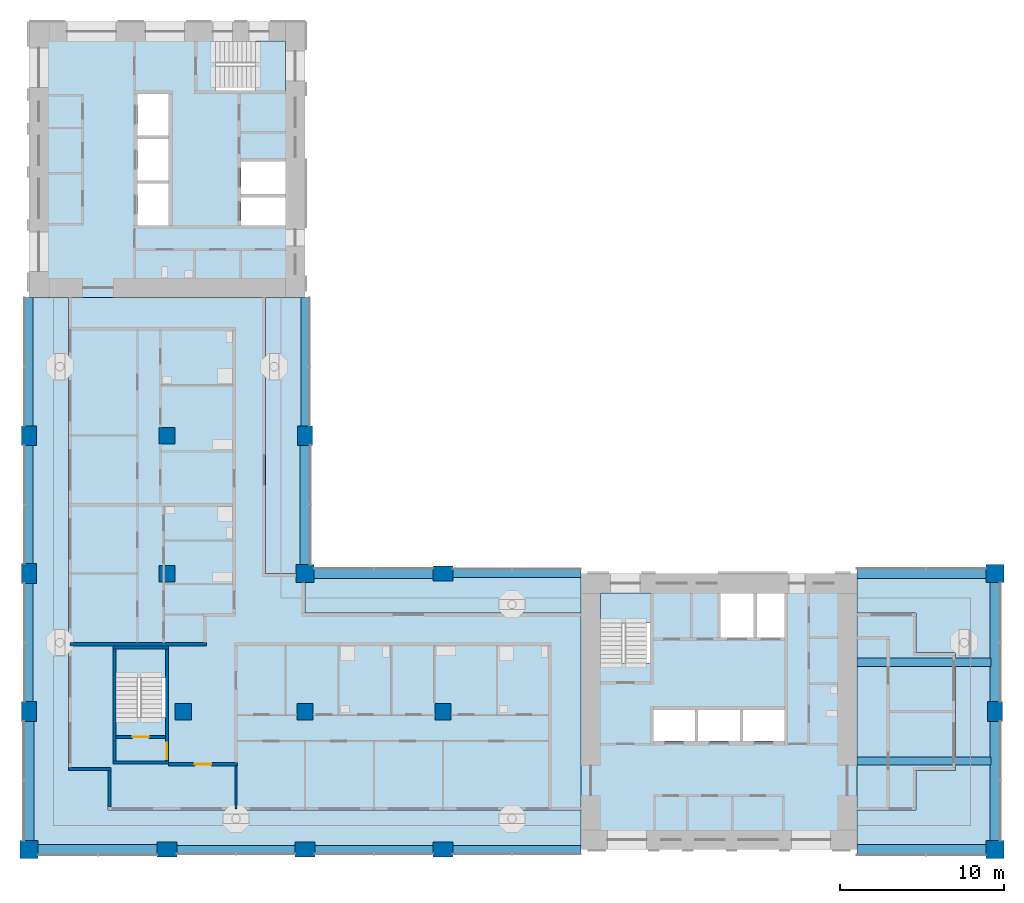
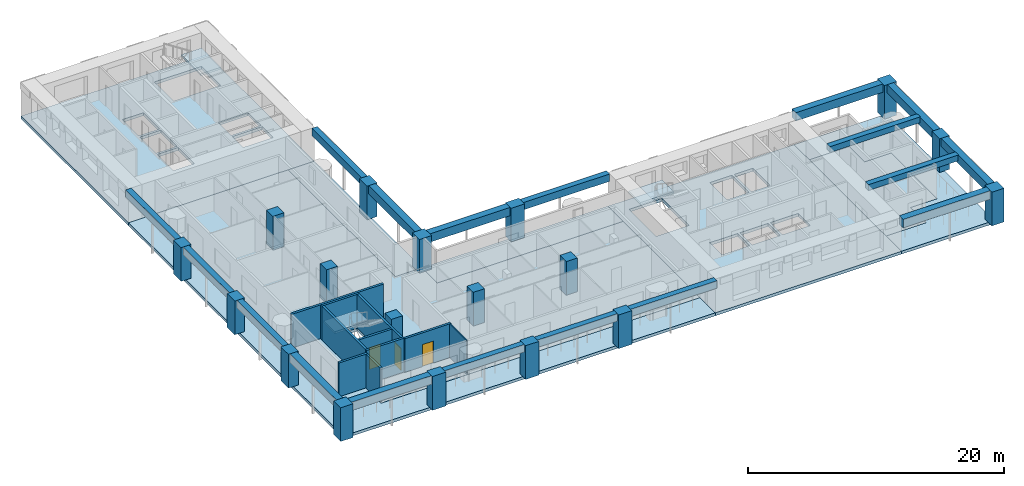
# One storey, part 1 of 13: 18 beams, 18 columns, 12 slabs, 10 walls, 3 doors, 3 openings, 3 elements without a shape of their own.
"""IFC4 building model written with IfcOpenShell, lengths in metres."""

from ifc_helpers import new_model, si_unit, direction, frame, frame_2d, origin, origin_2d, place, context, subcontext, project, spatial, polyline, rectangle, outline, extrude, material, layer, layer_set, material_profile, profile_set, type_object, element, fill, aggregate, save


model = new_model("IFC4")

# Units and contexts
model_context = context("Model", 3, precision=1e-05, world=origin(), true_north=direction((0.0, 1.0)))
body_context = subcontext(model_context, "Body", "Model", "MODEL_VIEW")
ifc_project = project(units=[si_unit("LENGTHUNIT", "METRE"), si_unit("AREAUNIT", "SQUARE_METRE"), si_unit("VOLUMEUNIT", "CUBIC_METRE"), si_unit("PLANEANGLEUNIT", "RADIAN"), si_unit("MASSUNIT", "GRAM", prefix="KILO")], contexts=[model_context])

# Site, building, storey
site_placement = place(None, origin())
site = spatial("IfcSite", under=ifc_project, at=site_placement, CompositionType="ELEMENT")
building_placement = place(site_placement, origin())
building = spatial("IfcBuilding", under=site, at=building_placement, Name="Vermilion Gate Residences", CompositionType="ELEMENT")
storey_placement = place(building_placement, frame((0.0, 0.0, 151.199951171875)))
storey = spatial("IfcBuildingStorey", under=building, at=storey_placement, Name="L38", CompositionType="ELEMENT", Elevation=151.199951171875)

# Columns
ifc_material_1 = material(Name="Concrete C60", Category="concrete")
ifc_material_profile_1 = material_profile(ifc_material_1, rectangle(XDim=1.0, YDim=1.0, at=origin_2d()), Name="RC-1000x1000")
ifc_profile_set_1 = profile_set([ifc_material_profile_1], Name="Concrete C60")
column_type_1 = type_object("IfcColumnType", Name="RC COLUMN 1000 X 1000 C60", PredefinedType="COLUMN", material=ifc_profile_set_1)
for number, where, z_axis, x_axis, name in (
    (1, (17.800048828125, 16.800048828125, 0.0), (0.0, 0.0, 1.0), (1.0, 0.0, 0.0), "Column 3-C L38"),
    (2, (16.800048828125, 25.199951171875, 0.0), (0.0, 0.0, 1.0), (1.0, 0.0, 0.0), "Column 3-D L38"),
    (3, (16.800048828125, 33.60009765625, 0.0), (0.0, 0.0, 1.0), (1.0, 0.0, 0.0), "Column 3-E L38"),
    (4, (25.199951171875, 16.800048828125, 0.0), (0.0, 0.0, 1.0), (1.0, 0.0, 0.0), "Column 4-C L38"),
    (5, (33.60009765625, 16.800048828125, 0.0), (0.0, 0.0, 1.0), (1.0, 0.0, 0.0), "Column 5-C L38"),
):
    element("IfcColumn", number, at=place(storey_placement, frame(where, z_axis=z_axis, x_axis=x_axis)), inside=storey, type_object=column_type_1, Name=name, PredefinedType="COLUMN", context=body_context, shape_type="SweptSolid", body=[
        extrude(rectangle(XDim=1.0, YDim=1.0, at=origin_2d()), origin(), (0.0, 0.0, 1.0), 3.219970703125),
    ])
ifc_material_2 = material(Name="Concrete C60", Category="concrete")
ifc_material_profile_2 = material_profile(ifc_material_2, rectangle(XDim=1.10009765625, YDim=1.10009765625, at=origin_2d()), Name="RC-1100x1100")
ifc_profile_set_2 = profile_set([ifc_material_profile_2], Name="Concrete C60")
column_type_2 = type_object("IfcColumnType", Name="RC COLUMN 1100 X 1100 C60", PredefinedType="COLUMN", material=ifc_profile_set_2)
for number, where, z_axis, x_axis, name in (
    (6, (8.39990234375, 8.39990234375, 0.0), (0.0, 0.0, 1.0), (1.0, 0.0, 0.0), "Column 2-B L38"),
    (7, (25.199951171875, 25.199951171875, 0.0), (0.0, 0.0, 1.0), (1.0, 0.0, 0.0), "Column 4-D L38"),
    (8, (67.199951171875, 8.39990234375, 0.0), (0.0, 0.0, 1.0), (1.0, 0.0, 0.0), "Column 9-B L38"),
    (9, (67.199951171875, 25.199951171875, 0.0), (0.0, 0.0, 1.0), (1.0, 0.0, 0.0), "Column 9-D L38"),
):
    element("IfcColumn", number, at=place(storey_placement, frame(where, z_axis=z_axis, x_axis=x_axis)), inside=storey, type_object=column_type_2, Name=name, PredefinedType="COLUMN", context=body_context, shape_type="SweptSolid", body=[
        extrude(rectangle(XDim=1.10009765625, YDim=1.10009765625, at=origin_2d()), origin(), (0.0, 0.0, 1.0), 3.219970703125),
    ])
ifc_material_3 = material(Name="Concrete C60", Category="concrete")
ifc_material_profile_3 = material_profile(ifc_material_3, rectangle(XDim=1.199951171875, YDim=0.89990234375, at=origin_2d()), Name="RC-1200x900")
ifc_profile_set_3 = profile_set([ifc_material_profile_3], Name="Concrete C60")
column_type_3 = type_object("IfcColumnType", Name="RC COLUMN 1200 X 900 C60", PredefinedType="COLUMN", material=ifc_profile_set_3)
for number, where, z_axis, x_axis, name in (
    (10, (8.39990234375, 16.800048828125, 0.0), (0.0, 0.0, 1.0), (0.0, 1.0, 0.0), "Column 2-C L38"),
    (11, (8.39990234375, 25.199951171875, 0.0), (0.0, 0.0, 1.0), (0.0, 1.0, 0.0), "Column 2-D L38"),
    (12, (8.39990234375, 33.60009765625, 0.0), (0.0, 0.0, 1.0), (0.0, 1.0, 0.0), "Column 2-E L38"),
    (13, (16.800048828125, 8.39990234375, 0.0), (0.0, 0.0, 1.0), (1.0, 0.0, 0.0), "Column 3-B L38"),
    (14, (25.199951171875, 8.39990234375, 0.0), (0.0, 0.0, 1.0), (1.0, 0.0, 0.0), "Column 4-B L38"),
    (15, (25.199951171875, 33.60009765625, 0.0), (0.0, 0.0, 1.0), (0.0, 1.0, 0.0), "Column 4-E L38"),
    (16, (33.60009765625, 8.39990234375, 0.0), (0.0, 0.0, 1.0), (1.0, 0.0, 0.0), "Column 5-B L38"),
    (17, (33.60009765625, 25.199951171875, 0.0), (0.0, 0.0, 1.0), (1.0, 0.0, 0.0), "Column 5-D L38"),
    (18, (67.199951171875, 16.800048828125, 0.0), (0.0, 0.0, 1.0), (0.0, 1.0, 0.0), "Column 9-C L38"),
):
    element("IfcColumn", number, at=place(storey_placement, frame(where, z_axis=z_axis, x_axis=x_axis)), inside=storey, type_object=column_type_3, Name=name, PredefinedType="COLUMN", context=body_context, shape_type="SweptSolid", body=[
        extrude(rectangle(XDim=1.199951171875, YDim=0.89990234375, at=origin_2d()), origin(), (0.0, 0.0, 1.0), 3.219970703125),
    ])

# Beams
ifc_material_4 = material(Name="Concrete C60 red-oxide pigmented", Category="concrete")
ifc_material_profile_4 = material_profile(ifc_material_4, rectangle(XDim=0.60009765625, YDim=0.800048828125, at=origin_2d()), Name="RC-600x800")
ifc_profile_set_4 = profile_set([ifc_material_profile_4], Name="Concrete C60 red-oxide pigmented")
beam_type_1 = type_object("IfcBeamType", Name="RC CORNER EDGE BEAM 600 X 800 C60", PredefinedType="BEAM", material=ifc_profile_set_4)
for number, where, z_axis, x_axis, name in (
    (19, (8.949951171875, 8.39990234375, 2.820068359375), (1.0, 0.0, 0.0), (0.0, 1.0, 0.0), "Corner edge beam L38 1"),
    (20, (8.39990234375, 8.949951171875, 2.820068359375), (0.0, 1.0, 0.0), (-1.0, 0.0, 0.0), "Corner edge beam L38 2"),
    (21, (25.199951171875, 25.75, 2.820068359375), (0.0, 1.0, 0.0), (-1.0, 0.0, 0.0), "Corner edge beam L38 7"),
    (22, (25.75, 25.199951171875, 2.820068359375), (1.0, 0.0, 0.0), (0.0, 1.0, 0.0), "Corner edge beam L38 10"),
):
    element("IfcBeam", number, at=place(storey_placement, frame(where, z_axis=z_axis, x_axis=x_axis)), inside=storey, type_object=beam_type_1, Name=name, PredefinedType="BEAM", context=body_context, shape_type="SweptSolid", body=[
        extrude(rectangle(XDim=0.60009765625, YDim=0.800048828125, at=origin_2d()), origin(), (0.0, 0.0, 1.0), 7.25),
    ])
beam_1_placement = place(storey_placement, frame((58.800048828125, 8.39990234375, 2.820068359375), z_axis=(1.0, 0.0, 0.0), x_axis=(0.0, 1.0, 0.0)))
element("IfcBeam", 23, at=beam_1_placement, inside=storey, type_object=beam_type_1, Name="Corner edge beam L38 13", PredefinedType="BEAM", context=body_context, shape_type="SweptSolid", body=[
    extrude(rectangle(XDim=0.60009765625, YDim=0.800048828125, at=origin_2d()), origin(), (0.0, 0.0, 1.0), 7.849853515625),
])
for number, where, z_axis, x_axis, name in (
    (24, (67.199951171875, 8.949951171875, 2.820068359375), (0.0, 1.0, 0.0), (-1.0, 0.0, 0.0), "Corner edge beam L38 14"),
    (25, (67.199951171875, 17.39990234375, 2.820068359375), (0.0, 1.0, 0.0), (-1.0, 0.0, 0.0), "Corner edge beam L38 15"),
):
    element("IfcBeam", number, at=place(storey_placement, frame(where, z_axis=z_axis, x_axis=x_axis)), inside=storey, type_object=beam_type_1, Name=name, PredefinedType="BEAM", context=body_context, shape_type="SweptSolid", body=[
        extrude(rectangle(XDim=0.60009765625, YDim=0.800048828125, at=origin_2d()), origin(), (0.0, 0.0, 1.0), 7.25),
    ])
beam_2_placement = place(storey_placement, frame((58.800048828125, 25.199951171875, 2.820068359375), z_axis=(1.0, 0.0, 0.0), x_axis=(0.0, 1.0, 0.0)))
element("IfcBeam", 26, at=beam_2_placement, inside=storey, type_object=beam_type_1, Name="Corner edge beam L38 16", PredefinedType="BEAM", context=body_context, shape_type="SweptSolid", body=[
    extrude(rectangle(XDim=0.60009765625, YDim=0.800048828125, at=origin_2d()), origin(), (0.0, 0.0, 1.0), 7.849853515625),
])
ifc_material_5 = material(Name="Concrete C60 red-oxide pigmented", Category="concrete")
ifc_material_profile_5 = material_profile(ifc_material_5, rectangle(XDim=0.5, YDim=0.699951171875, at=origin_2d()), Name="RC-500x700")
ifc_profile_set_5 = profile_set([ifc_material_profile_5], Name="Concrete C60 red-oxide pigmented")
beam_type_2 = type_object("IfcBeamType", Name="RC EDGE BEAM 500 X 700 C60", PredefinedType="BEAM", material=ifc_profile_set_5)
beam_3_placement = place(storey_placement, frame((8.39990234375, 17.39990234375, 2.8701171875), z_axis=(0.0, 1.0, 0.0), x_axis=(-1.0, 0.0, 0.0)))
element("IfcBeam", 27, at=beam_3_placement, inside=storey, type_object=beam_type_2, Name="Edge beam L38 3", PredefinedType="BEAM", context=body_context, shape_type="SweptSolid", body=[
    extrude(rectangle(XDim=0.5, YDim=0.699951171875, at=origin_2d()), origin(), (0.0, 0.0, 1.0), 7.2001953125),
])
beam_4_placement = place(storey_placement, frame((8.39990234375, 25.800048828125, 2.8701171875), z_axis=(0.0, 1.0, 0.0), x_axis=(-1.0, 0.0, 0.0)))
element("IfcBeam", 28, at=beam_4_placement, inside=storey, type_object=beam_type_2, Name="Edge beam L38 4", PredefinedType="BEAM", context=body_context, shape_type="SweptSolid", body=[
    extrude(rectangle(XDim=0.5, YDim=0.699951171875, at=origin_2d()), origin(), (0.0, 0.0, 1.0), 7.199951171875),
])
beam_5_placement = place(storey_placement, frame((8.39990234375, 34.199951171875, 2.8701171875), z_axis=(0.0, 1.0, 0.0), x_axis=(-1.0, 0.0, 0.0)))
element("IfcBeam", 29, at=beam_5_placement, inside=storey, type_object=beam_type_2, Name="Edge beam L38 5", PredefinedType="BEAM", context=body_context, shape_type="SweptSolid", body=[
    extrude(rectangle(XDim=0.5, YDim=0.699951171875, at=origin_2d()), origin(), (0.0, 0.0, 1.0), 7.800048828125),
])
beam_6_placement = place(storey_placement, frame((17.39990234375, 8.39990234375, 2.8701171875), z_axis=(1.0, 0.0, 0.0), x_axis=(0.0, 1.0, 0.0)))
element("IfcBeam", 30, at=beam_6_placement, inside=storey, type_object=beam_type_2, Name="Edge beam L38 6", PredefinedType="BEAM", context=body_context, shape_type="SweptSolid", body=[
    extrude(rectangle(XDim=0.5, YDim=0.699951171875, at=origin_2d()), origin(), (0.0, 0.0, 1.0), 7.2001953125),
])
beam_7_placement = place(storey_placement, frame((25.199951171875, 34.199951171875, 2.8701171875), z_axis=(0.0, 1.0, 0.0), x_axis=(-1.0, 0.0, 0.0)))
element("IfcBeam", 31, at=beam_7_placement, inside=storey, type_object=beam_type_2, Name="Edge beam L38 8", PredefinedType="BEAM", context=body_context, shape_type="SweptSolid", body=[
    extrude(rectangle(XDim=0.5, YDim=0.699951171875, at=origin_2d()), origin(), (0.0, 0.0, 1.0), 7.800048828125),
])
beam_8_placement = place(storey_placement, frame((25.800048828125, 8.39990234375, 2.8701171875), z_axis=(1.0, 0.0, 0.0), x_axis=(0.0, 1.0, 0.0)))
element("IfcBeam", 32, at=beam_8_placement, inside=storey, type_object=beam_type_2, Name="Edge beam L38 9", PredefinedType="BEAM", context=body_context, shape_type="SweptSolid", body=[
    extrude(rectangle(XDim=0.5, YDim=0.699951171875, at=origin_2d()), origin(), (0.0, 0.0, 1.0), 7.199951171875),
])
for number, where, z_axis, x_axis, name in (
    (33, (34.199951171875, 8.39990234375, 2.8701171875), (1.0, 0.0, 0.0), (0.0, 1.0, 0.0), "Edge beam L38 11"),
    (34, (34.199951171875, 25.199951171875, 2.8701171875), (1.0, 0.0, 0.0), (0.0, 1.0, 0.0), "Edge beam L38 12"),
):
    element("IfcBeam", number, at=place(storey_placement, frame(where, z_axis=z_axis, x_axis=x_axis)), inside=storey, type_object=beam_type_2, Name=name, PredefinedType="BEAM", context=body_context, shape_type="SweptSolid", body=[
        extrude(rectangle(XDim=0.5, YDim=0.699951171875, at=origin_2d()), origin(), (0.0, 0.0, 1.0), 7.800048828125),
    ])
ifc_material_6 = material(Name="Concrete C60", Category="concrete")
ifc_material_profile_6 = material_profile(ifc_material_6, rectangle(XDim=0.5, YDim=0.550048828125, at=origin_2d()), Name="RC-500x550")
ifc_profile_set_6 = profile_set([ifc_material_profile_6], Name="Concrete C60")
beam_type_3 = type_object("IfcBeamType", Name="RC WING BEAM 500 X 550 C60", PredefinedType="BEAM", material=ifc_profile_set_6)
for number, where, z_axis, x_axis, name in (
    (35, (58.800048828125, 13.800048828125, 2.945068359375), (1.0, 0.0, 0.0), (0.0, 1.0, 0.0), "Wing-end beam L38 1"),
    (36, (58.800048828125, 19.800048828125, 2.945068359375), (1.0, 0.0, 0.0), (0.0, 1.0, 0.0), "Wing-end beam L38 2"),
):
    element("IfcBeam", number, at=place(storey_placement, frame(where, z_axis=z_axis, x_axis=x_axis)), inside=storey, type_object=beam_type_3, Name=name, PredefinedType="BEAM", context=body_context, shape_type="SweptSolid", body=[
        extrude(rectangle(XDim=0.5, YDim=0.550048828125, at=origin_2d()), origin(), (0.0, 0.0, 1.0), 8.14990234375),
    ])

# Slabs
ifc_material_7 = material(Name="Concrete C50", Category="concrete")
ifc_layer_1 = layer(ifc_material_7, 0.280029296875)
ifc_layer_set_1 = layer_set([ifc_layer_1], Name="RC CORE FLOOR SLAB 280 C50")
slab_type_1 = type_object("IfcSlabType", Name="RC CORE FLOOR SLAB 280 C50", PredefinedType="FLOOR", material=ifc_layer_set_1)
slab_1_placement = place(storey_placement, frame((0.0, 0.0, -0.280029296875)))
element("IfcSlab", 37, at=slab_1_placement, inside=storey, type_object=slab_type_1, Name="Core floor slab A38", PredefinedType="FLOOR", context=body_context, shape_type="SweptSolid", body=[
    extrude(outline(polyline([(42.0, 8.39990234375), (58.800048828125, 8.39990234375), (58.800048828125, 25.199951171875), (42.0, 25.199951171875), (42.0, 8.39990234375)]), holes=[polyline([(46.39990234375, 15.0), (46.39990234375, 16.89990234375), (48.933349609375, 16.89990234375), (48.933349609375, 15.0), (46.39990234375, 15.0)]), polyline([(49.13330078125, 16.89990234375), (51.666748046875, 16.89990234375), (51.666748046875, 15.0), (49.13330078125, 15.0), (49.13330078125, 16.89990234375)]), polyline([(51.86669921875, 16.89990234375), (54.39990234375, 16.89990234375), (54.39990234375, 15.0), (51.86669921875, 15.0), (51.86669921875, 16.89990234375)]), polyline([(43.199951171875, 19.75), (43.199951171875, 24.0), (46.199951171875, 24.0), (46.199951171875, 19.75), (43.199951171875, 19.75)]), polyline([(50.5, 24.0), (52.5, 24.0), (52.5, 21.300048828125), (50.5, 21.300048828125), (50.5, 24.0)]), polyline([(52.699951171875, 24.0), (54.39990234375, 24.0), (54.39990234375, 21.300048828125), (52.699951171875, 21.300048828125), (52.699951171875, 24.0)])]), origin(), (0.0, 0.0, 1.0), 0.280029296875),
])
slab_2_placement = place(storey_placement, frame((0.0, 0.0, -0.280029296875)))
element("IfcSlab", 38, at=slab_2_placement, inside=storey, type_object=slab_type_1, Name="Core floor slab B38", PredefinedType="FLOOR", context=body_context, shape_type="SweptSolid", body=[
    extrude(outline(polyline([(8.39990234375, 42.0), (25.199951171875, 42.0), (25.199951171875, 58.800048828125), (8.39990234375, 58.800048828125), (8.39990234375, 42.0)]), holes=[polyline([(21.300048828125, 46.39990234375), (21.300048828125, 48.10009765625), (24.0, 48.10009765625), (24.0, 46.39990234375), (21.300048828125, 46.39990234375)]), polyline([(15.0, 48.933349609375), (16.89990234375, 48.933349609375), (16.89990234375, 46.39990234375), (15.0, 46.39990234375), (15.0, 48.933349609375)]), polyline([(21.300048828125, 50.300048828125), (24.0, 50.300048828125), (24.0, 48.300048828125), (21.300048828125, 48.300048828125), (21.300048828125, 50.300048828125)]), polyline([(15.0, 49.13330078125), (15.0, 51.666748046875), (16.89990234375, 51.666748046875), (16.89990234375, 49.13330078125), (15.0, 49.13330078125)]), polyline([(15.0, 54.39990234375), (16.89990234375, 54.39990234375), (16.89990234375, 51.86669921875), (15.0, 51.86669921875), (15.0, 54.39990234375)]), polyline([(19.75, 57.60009765625), (24.0, 57.60009765625), (24.0, 54.60009765625), (19.75, 54.60009765625), (19.75, 57.60009765625)])]), origin(), (0.0, 0.0, 1.0), 0.280029296875),
])
slab_3_placement = place(storey_placement, frame((0.0, 0.0, -0.280029296875)))
element("IfcSlab", 39, at=slab_3_placement, inside=storey, type_object=slab_type_1, Name="Apex stair floor slab 38", PredefinedType="FLOOR", context=body_context, shape_type="SweptSolid", body=[
    extrude(outline(polyline([(13.5, 13.60009765625), (16.89990234375, 13.60009765625), (16.89990234375, 20.800048828125), (13.5, 20.800048828125), (13.5, 13.60009765625)]), holes=[polyline([(16.699951171875, 20.60009765625), (16.699951171875, 16.449951171875), (13.699951171875, 16.449951171875), (13.699951171875, 20.60009765625), (16.699951171875, 20.60009765625)])]), origin(), (0.0, 0.0, 1.0), 0.280029296875),
])
ifc_material_8 = material(Name="Concrete C50", Category="concrete")
ifc_layer_2 = layer(ifc_material_8, 0.280029296875)
ifc_layer_set_2 = layer_set([ifc_layer_2], Name="RC FLAT PLATE 280 C50")
slab_type_2 = type_object("IfcSlabType", Name="RC FLAT PLATE 280 C50", PredefinedType="FLOOR", material=ifc_layer_set_2)
slab_4_placement = place(storey_placement, frame((0.0, 0.0, -0.280029296875)))
element("IfcSlab", 40, at=slab_4_placement, inside=storey, type_object=slab_type_2, Name="Floor slab L38", PredefinedType="FLOOR", context=body_context, shape_type="SweptSolid", body=[
    extrude(outline(polyline([(22.800048828125, 25.199951171875), (22.800048828125, 42.0), (10.800048828125, 42.0), (10.800048828125, 13.199951171875), (13.199951171875, 13.199951171875), (13.199951171875, 10.800048828125), (42.0, 10.800048828125), (42.0, 22.800048828125), (25.199951171875, 22.800048828125), (25.199951171875, 25.199951171875), (22.800048828125, 25.199951171875)]), holes=[polyline([(13.5, 13.60009765625), (13.5, 20.800048828125), (16.89990234375, 20.800048828125), (16.89990234375, 13.60009765625), (13.5, 13.60009765625)])]), origin(), (0.0, 0.0, 1.0), 0.280029296875),
])
slab_5_placement = place(storey_placement, frame((0.0, 0.0, -0.280029296875)))
element("IfcSlab", 41, at=slab_5_placement, inside=storey, type_object=slab_type_2, Name="Floor slab L38", PredefinedType="FLOOR", context=body_context, shape_type="SweptSolid", body=[
    extrude(outline(polyline([(58.800048828125, 22.800048828125), (58.800048828125, 10.800048828125), (62.39990234375, 10.800048828125), (62.39990234375, 13.199951171875), (64.800048828125, 13.199951171875), (64.800048828125, 20.39990234375), (62.39990234375, 20.39990234375), (62.39990234375, 22.800048828125), (58.800048828125, 22.800048828125)])), origin(), (0.0, 0.0, 1.0), 0.280029296875),
])
ifc_material_9 = material(Name="Concrete C50 red-oxide pigmented", Category="concrete")
ifc_layer_3 = layer(ifc_material_9, 0.280029296875)
ifc_layer_set_3 = layer_set([ifc_layer_3], Name="RC LOGGIA SLAB 280 C50")
slab_type_3 = type_object("IfcSlabType", Name="RC LOGGIA SLAB 280 C50", PredefinedType="FLOOR", material=ifc_layer_set_3)
slab_6_placement = place(storey_placement, frame((0.0, 0.0, -0.280029296875)))
element("IfcSlab", 42, at=slab_6_placement, inside=storey, type_object=slab_type_3, Name="Loggia slab L38", PredefinedType="FLOOR", context=body_context, shape_type="SweptSolid", body=[
    extrude(outline(polyline([(8.39990234375, 42.0), (8.39990234375, 8.39990234375), (42.0, 8.39990234375), (42.0, 10.800048828125), (13.199951171875, 10.800048828125), (13.199951171875, 13.199951171875), (10.800048828125, 13.199951171875), (10.800048828125, 42.0), (8.39990234375, 42.0)])), origin(), (0.0, 0.0, 1.0), 0.280029296875),
])
slab_7_placement = place(storey_placement, frame((0.0, 0.0, -0.280029296875)))
element("IfcSlab", 43, at=slab_7_placement, inside=storey, type_object=slab_type_3, Name="Loggia slab L38", PredefinedType="FLOOR", context=body_context, shape_type="SweptSolid", body=[
    extrude(outline(polyline([(64.800048828125, 13.199951171875), (62.39990234375, 13.199951171875), (62.39990234375, 10.800048828125), (58.800048828125, 10.800048828125), (58.800048828125, 8.39990234375), (67.199951171875, 8.39990234375), (67.199951171875, 25.199951171875), (58.800048828125, 25.199951171875), (58.800048828125, 22.800048828125), (62.39990234375, 22.800048828125), (62.39990234375, 20.39990234375), (64.800048828125, 20.39990234375), (64.800048828125, 13.199951171875)])), origin(), (0.0, 0.0, 1.0), 0.280029296875),
])
slab_8_placement = place(storey_placement, frame((0.0, 0.0, -0.280029296875)))
element("IfcSlab", 44, at=slab_8_placement, inside=storey, type_object=slab_type_3, Name="Loggia slab L38", PredefinedType="FLOOR", context=body_context, shape_type="SweptSolid", body=[
    extrude(outline(polyline([(42.0, 25.199951171875), (25.199951171875, 25.199951171875), (25.199951171875, 22.800048828125), (42.0, 22.800048828125), (42.0, 25.199951171875)])), origin(), (0.0, 0.0, 1.0), 0.280029296875),
])
slab_9_placement = place(storey_placement, frame((0.0, 0.0, -0.280029296875)))
element("IfcSlab", 45, at=slab_9_placement, inside=storey, type_object=slab_type_3, Name="Loggia slab L38", PredefinedType="FLOOR", context=body_context, shape_type="SweptSolid", body=[
    extrude(outline(polyline([(22.800048828125, 42.0), (22.800048828125, 25.199951171875), (25.199951171875, 25.199951171875), (25.199951171875, 42.0), (22.800048828125, 42.0)])), origin(), (0.0, 0.0, 1.0), 0.280029296875),
])

# Stair, slab
ifc_material_10 = material(Name="Concrete C50", Category="concrete")
stair_type = type_object("IfcStairType", Name="SPECIAL ESCAPE STAIR 1300", PredefinedType="HALF_TURN_STAIR", material=ifc_material_10)
stair_1_placement = place(storey_placement, origin())
stair_1 = element("IfcStair", 46, at=stair_1_placement, inside=storey, type_object=stair_type, Name="Special escape stair STA1-38", PredefinedType="HALF_TURN_STAIR")
ifc_material_11 = material(Name="Concrete C50", Category="concrete")
ifc_layer_4 = layer(ifc_material_11, 0.199951171875)
ifc_layer_set_4 = layer_set([ifc_layer_4], Name="STAIR LANDING 200 C50")
slab_type_4 = type_object("IfcSlabType", Name="STAIR LANDING 200 C50", PredefinedType="LANDING", material=ifc_layer_set_4)
slab_10_placement = place(storey_placement, frame((0.0, 0.0, 1.550048828125)))
slab_10 = element("IfcSlab", 47, at=slab_10_placement, type_object=slab_type_4, Name="STA1-38 landing 1", PredefinedType="LANDING", context=body_context, shape_type="SweptSolid", body=[
    extrude(outline(polyline([(46.219970703125, 22.179931640625), (46.219970703125, 24.02001953125), (43.179931640625, 24.02001953125), (43.179931640625, 22.179931640625), (46.219970703125, 22.179931640625)])), origin(), (0.0, 0.0, 1.0), 0.199951171875),
])
aggregate(stair_1, [slab_10])

stair_2_placement = place(storey_placement, origin())
stair_2 = element("IfcStair", 48, at=stair_2_placement, inside=storey, type_object=stair_type, Name="Special escape stair STB1-38", PredefinedType="HALF_TURN_STAIR")
slab_11_placement = place(storey_placement, frame((0.0, 0.0, 1.550048828125)))
slab_11 = element("IfcSlab", 49, at=slab_11_placement, type_object=slab_type_4, Name="STB1-38 landing 1", PredefinedType="LANDING", context=body_context, shape_type="SweptSolid", body=[
    extrude(outline(polyline([(24.02001953125, 54.580078125), (24.02001953125, 57.6201171875), (22.179931640625, 57.6201171875), (22.179931640625, 54.580078125), (24.02001953125, 54.580078125)])), origin(), (0.0, 0.0, 1.0), 0.199951171875),
])
aggregate(stair_2, [slab_11])

stair_3_placement = place(storey_placement, origin())
stair_3 = element("IfcStair", 50, at=stair_3_placement, inside=storey, type_object=stair_type, Name="Special escape stair STC1-38", PredefinedType="HALF_TURN_STAIR")
slab_12_placement = place(storey_placement, frame((0.0, 0.0, 1.550048828125)))
slab_12 = element("IfcSlab", 51, at=slab_12_placement, type_object=slab_type_4, Name="STC1-38 landing 1", PredefinedType="LANDING", context=body_context, shape_type="SweptSolid", body=[
    extrude(outline(polyline([(16.719970703125, 18.8798828125), (16.719970703125, 20.6201171875), (13.679931640625, 20.6201171875), (13.679931640625, 18.8798828125), (16.719970703125, 18.8798828125)])), origin(), (0.0, 0.0, 1.0), 0.199951171875),
])
aggregate(stair_3, [slab_12])

# Walls
ifc_material_12 = material(Name="Insulated steel stud wall with terracotta rainscreen", Category="masonry")
ifc_layer_5 = layer(ifc_material_12, 0.199951171875)
ifc_layer_set_5 = layer_set([ifc_layer_5], Name="EXTERNAL WALL 200 TERRACOTTA RAINSCREEN")
wall_type_1 = type_object("IfcWallType", Name="EXTERNAL WALL 200 TERRACOTTA RAINSCREEN", PredefinedType="SOLIDWALL", material=ifc_layer_set_5)
wall_1_placement = place(storey_placement, frame((10.800048828125, 13.300048828125, 0.0), z_axis=(0.0, 0.0, 1.0), x_axis=(1.0, 0.0, 0.0)))
element("IfcWall", 52, at=wall_1_placement, inside=storey, type_object=wall_type_1, Name="External wall", PredefinedType="SOLIDWALL", context=body_context, shape_type="SweptSolid", body=[
    extrude(rectangle(XDim=2.599853515625, YDim=0.199951171875, at=frame_2d((1.2998046875, 0.0))), origin(), (0.0, 0.0, 1.0), 3.219970703125),
])
wall_2_placement = place(storey_placement, frame((13.300048828125, 13.199951171875, 0.0), z_axis=(0.0, 0.0, 1.0), x_axis=(0.0, -1.0, 0.0)))
element("IfcWall", 53, at=wall_2_placement, inside=storey, type_object=wall_type_1, Name="External wall", PredefinedType="SOLIDWALL", context=body_context, shape_type="SweptSolid", body=[
    extrude(rectangle(XDim=2.199951171875, YDim=0.199951171875, at=frame_2d((1.10009765625, 0.0))), origin(), (0.0, 0.0, 1.0), 3.219970703125),
])
ifc_material_13 = material(Name="Plasterboard on steel studs", Category="steel")
ifc_layer_6 = layer(ifc_material_13, 0.10009765625)
ifc_layer_set_6 = layer_set([ifc_layer_6], Name="PARTITION 100")
wall_type_2 = type_object("IfcWallType", Name="PARTITION 100", PredefinedType="PARTITIONING", material=ifc_layer_set_6)
wall_3_placement = place(storey_placement, frame((21.0, 10.89990234375, 0.0), z_axis=(0.0, 0.0, 1.0), x_axis=(0.0, 1.0, 0.0)))
element("IfcWall", 54, at=wall_3_placement, inside=storey, type_object=wall_type_2, Name="Partition", PredefinedType="PARTITIONING", context=body_context, shape_type="SweptSolid", body=[
    extrude(rectangle(XDim=2.60009765625, YDim=0.10009765625, at=frame_2d((1.300048828125, 0.0))), origin(), (0.0, 0.0, 1.0), 3.219970703125),
])

# Wall, opening, door
ifc_material_14 = material(Name="Fire-rated plasterboard on steel studs", Category="steel")
ifc_layer_7 = layer(ifc_material_14, 0.199951171875)
ifc_layer_set_7 = layer_set([ifc_layer_7], Name="PARTY WALL 200 EI 120")
wall_type_3 = type_object("IfcWallType", Name="PARTY WALL 200 EI 120", PredefinedType="PARTITIONING", material=ifc_layer_set_7)
wall_4_placement = place(storey_placement, frame((16.89990234375, 13.60009765625, 0.0), z_axis=(0.0, 0.0, 1.0), x_axis=(1.0, 0.0, 0.0)))
wall_4 = element("IfcWall", 55, at=wall_4_placement, inside=storey, type_object=wall_type_3, Name="Party and corridor wall", PredefinedType="PARTITIONING", context=body_context, shape_type="SweptSolid", body=[
    extrude(rectangle(XDim=4.2001953125, YDim=0.199951171875, at=frame_2d((2.10009765625, 0.0))), origin(), (0.0, 0.0, 1.0), 3.219970703125),
])
opening_1_placement = place(wall_4_placement, frame((1.60009765625, 0.0, 0.0)))
opening_1 = element("IfcOpeningElement", 56, at=opening_1_placement, cuts=wall_4, Name="Opening DA37001", PredefinedType="OPENING", context=body_context, shape_type="SweptSolid", body=[
    extrude(rectangle(XDim=1.0, YDim=2.10009765625, at=frame_2d((0.5, 1.050048828125))), frame((0.0, 0.10986328125, 0.0), z_axis=(0.0, -1.0, 0.0), x_axis=(1.0, 0.0, 0.0)), (0.0, 0.0, 1.0), 0.219970703125),
])
ifc_material_15 = material(Name="Steel", Category="steel")
door_type_1 = type_object("IfcDoorType", Name="ENTRANCE DOOR 1000 X 2100 FD30", OperationType="SINGLE_SWING_LEFT", PredefinedType="DOOR", material=ifc_material_15)
door_1_placement = place(opening_1_placement, frame((1.0, 0.0, 0.0), z_axis=(0.0, 0.0, 1.0), x_axis=(-1.0, 0.0, 0.0)))
door_1 = element("IfcDoor", 57, at=door_1_placement, inside=storey, type_object=door_type_1, Name="Entrance door", OperationType="SINGLE_SWING_LEFT", OverallHeight=2.10009765625, OverallWidth=1.0, PredefinedType="DOOR", context=body_context, shape_type="SweptSolid", body=[
    extrude(rectangle(XDim=1.0, YDim=2.10009765625, at=frame_2d((0.5, 1.050048828125))), frame((0.0, 0.02490234375, 0.0), z_axis=(0.0, -1.0, 0.0), x_axis=(1.0, 0.0, 0.0)), (0.0, 0.0, 1.0), 0.050048828125),
])
fill(opening_1, door_1)

# Walls
wall_5_placement = place(storey_placement, frame((10.89990234375, 20.89990234375, 0.0), z_axis=(0.0, 0.0, 1.0), x_axis=(1.0, 0.0, 0.0)))
element("IfcWall", 58, at=wall_5_placement, inside=storey, type_object=wall_type_3, Name="Party and corridor wall", PredefinedType="PARTITIONING", context=body_context, shape_type="SweptSolid", body=[
    extrude(rectangle(XDim=8.300048828125, YDim=0.199951171875, at=frame_2d((4.14990234375, 0.0))), origin(), (0.0, 0.0, 1.0), 3.219970703125),
])
ifc_material_16 = material(Name="Concrete C60", Category="concrete")
ifc_layer_8 = layer(ifc_material_16, 0.199951171875)
ifc_layer_set_8 = layer_set([ifc_layer_8], Name="RC CORE INTERNAL WALL 200 C60")
wall_type_4 = type_object("IfcWallType", Name="RC CORE INTERNAL WALL 200 C60", PredefinedType="SHEAR", material=ifc_layer_set_8)
wall_6_placement = place(storey_placement, frame((13.60009765625, 13.800048828125, 0.0), z_axis=(0.0, 0.0, 1.0), x_axis=(0.0, 1.0, 0.0)))
element("IfcWall", 59, at=wall_6_placement, inside=storey, type_object=wall_type_4, Name="Core internal wall C38-W", PredefinedType="SHEAR", context=body_context, shape_type="SweptSolid", body=[
    extrude(rectangle(XDim=6.800048828125, YDim=0.199951171875, at=frame_2d((3.39990234375, 0.0))), origin(), (0.0, 0.0, 1.0), 3.219970703125),
])

# Wall, opening, door
wall_7_placement = place(storey_placement, frame((16.800048828125, 13.800048828125, 0.0), z_axis=(0.0, 0.0, 1.0), x_axis=(0.0, 1.0, 0.0)))
wall_7 = element("IfcWall", 60, at=wall_7_placement, inside=storey, type_object=wall_type_4, Name="Core internal wall C38-E", PredefinedType="SHEAR", context=body_context, shape_type="SweptSolid", body=[
    extrude(rectangle(XDim=6.800048828125, YDim=0.199951171875, at=frame_2d((3.39990234375, 0.0))), origin(), (0.0, 0.0, 1.0), 3.219970703125),
])
opening_2_placement = place(wall_7_placement, frame((0.10009765625, 0.0, 0.0)))
opening_2 = element("IfcOpeningElement", 61, at=opening_2_placement, cuts=wall_7, Name="Opening DK38201", PredefinedType="OPENING", context=body_context, shape_type="SweptSolid", body=[
    extrude(rectangle(XDim=1.0, YDim=2.10009765625, at=frame_2d((0.5, 1.050048828125))), frame((0.0, 0.10986328125, 0.0), z_axis=(0.0, -1.0, 0.0), x_axis=(1.0, 0.0, 0.0)), (0.0, 0.0, 1.0), 0.219970703125),
])
ifc_material_17 = material(Name="Steel", Category="steel")
door_type_2 = type_object("IfcDoorType", Name="FIRE DOOR FD60 1000 X 2100", OperationType="SINGLE_SWING_LEFT", PredefinedType="DOOR", material=ifc_material_17)
door_2_placement = place(opening_2_placement, frame((1.0, 0.0, 0.0), z_axis=(0.0, 0.0, 1.0), x_axis=(-1.0, 0.0, 0.0)))
door_2 = element("IfcDoor", 62, at=door_2_placement, inside=storey, type_object=door_type_2, Name="Stair vestibule door C38", OperationType="SINGLE_SWING_RIGHT", OverallHeight=2.10009765625, OverallWidth=1.0, PredefinedType="DOOR", context=body_context, shape_type="SweptSolid", body=[
    extrude(rectangle(XDim=1.0, YDim=2.10009765625, at=frame_2d((0.5, 1.050048828125))), frame((0.0, 0.02490234375, 0.0), z_axis=(0.0, -1.0, 0.0), x_axis=(1.0, 0.0, 0.0)), (0.0, 0.0, 1.0), 0.050048828125),
])
fill(opening_2, door_2)

# Walls
for number, where, z_axis, x_axis, name in (
    (63, (13.5, 13.699951171875, 0.0), (0.0, 0.0, 1.0), (1.0, 0.0, 0.0), "Core internal wall C38-S"),
    (64, (13.5, 20.699951171875, 0.0), (0.0, 0.0, 1.0), (1.0, 0.0, 0.0), "Core internal wall C38-N"),
):
    element("IfcWall", number, at=place(storey_placement, frame(where, z_axis=z_axis, x_axis=x_axis)), inside=storey, type_object=wall_type_4, Name=name, PredefinedType="SHEAR", context=body_context, shape_type="SweptSolid", body=[
        extrude(rectangle(XDim=3.39990234375, YDim=0.199951171875, at=frame_2d((1.699951171875, 0.0))), origin(), (0.0, 0.0, 1.0), 3.219970703125),
    ])

# Wall, opening, door
wall_8_placement = place(storey_placement, frame((13.699951171875, 15.25, 0.0), z_axis=(0.0, 0.0, 1.0), x_axis=(1.0, 0.0, 0.0)))
wall_8 = element("IfcWall", 65, at=wall_8_placement, inside=storey, type_object=wall_type_4, Name="Core internal wall C38-P", PredefinedType="SHEAR", context=body_context, shape_type="SweptSolid", body=[
    extrude(rectangle(XDim=3.0, YDim=0.199951171875, at=frame_2d((1.5, 0.0))), origin(), (0.0, 0.0, 1.0), 3.219970703125),
])
opening_3_placement = place(wall_8_placement, frame((1.0, 0.0, 0.0)))
opening_3 = element("IfcOpeningElement", 66, at=opening_3_placement, cuts=wall_8, Name="Opening DK38202", PredefinedType="OPENING", context=body_context, shape_type="SweptSolid", body=[
    extrude(rectangle(XDim=1.0, YDim=2.10009765625, at=frame_2d((0.5, 1.050048828125))), frame((0.0, 0.10986328125, 0.0), z_axis=(0.0, -1.0, 0.0), x_axis=(1.0, 0.0, 0.0)), (0.0, 0.0, 1.0), 0.219970703125),
])
door_3_placement = place(opening_3_placement, origin())
door_3 = element("IfcDoor", 67, at=door_3_placement, inside=storey, type_object=door_type_2, Name="Stair door C38", OperationType="SINGLE_SWING_LEFT", OverallHeight=2.10009765625, OverallWidth=1.0, PredefinedType="DOOR", context=body_context, shape_type="SweptSolid", body=[
    extrude(rectangle(XDim=1.0, YDim=2.10009765625, at=frame_2d((0.5, 1.050048828125))), frame((0.0, 0.02490234375, 0.0), z_axis=(0.0, -1.0, 0.0), x_axis=(1.0, 0.0, 0.0)), (0.0, 0.0, 1.0), 0.050048828125),
])
fill(opening_3, door_3)

save(model, "model.ifc")
